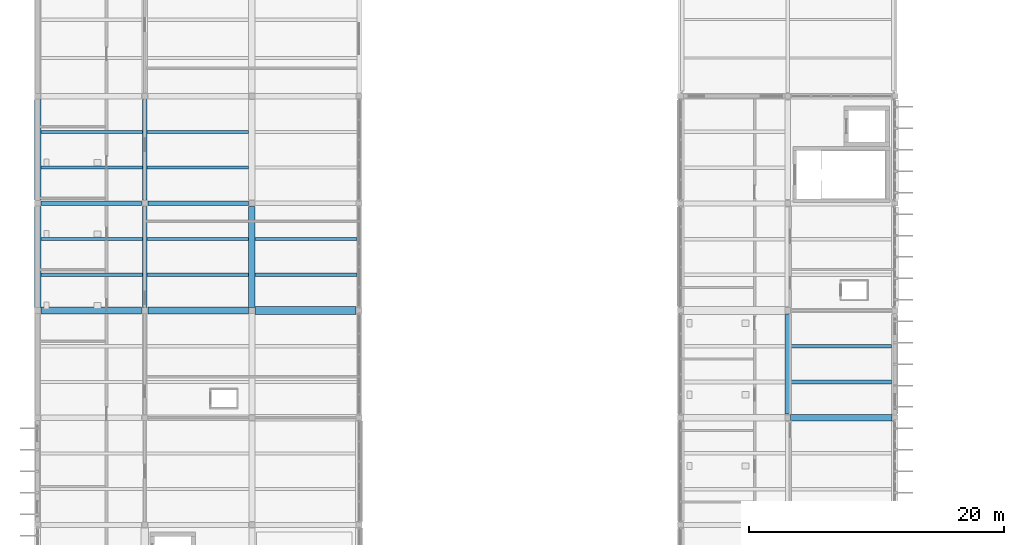
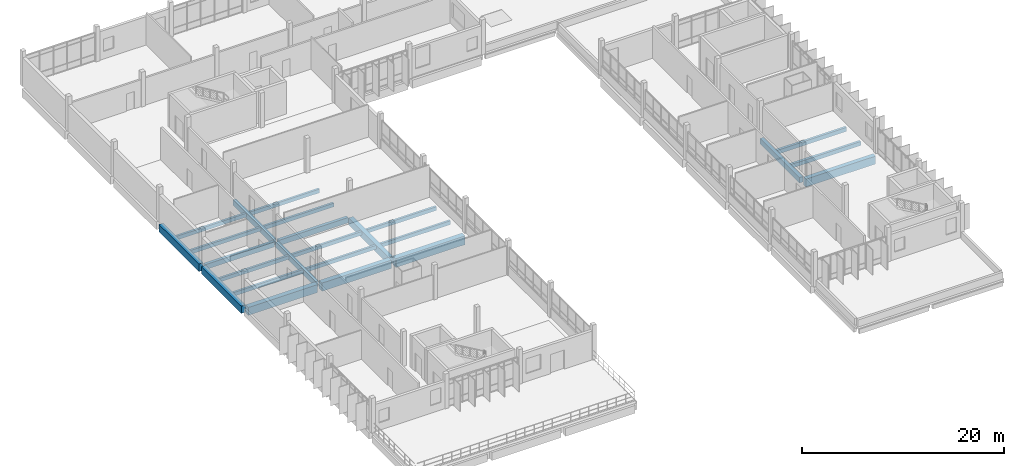
# One storey, part 16 of 62: 24 beams.
"""IFC4 building model written with IfcOpenShell, lengths in metres."""

from ifc_helpers import new_model, si_unit, direction, frame, origin, origin_2d, place, context, subcontext, project, spatial, rectangle, extrude, material, material_profile, profile_set, type_object, element, save


model = new_model("IFC4")

# Units and contexts
model_context = context("Model", 3, precision=1e-05, world=origin(), true_north=direction((0.0, 1.0)))
body_context = subcontext(model_context, "Body", "Model", "MODEL_VIEW")
ifc_project = project(units=[si_unit("LENGTHUNIT", "METRE"), si_unit("AREAUNIT", "SQUARE_METRE"), si_unit("VOLUMEUNIT", "CUBIC_METRE"), si_unit("PLANEANGLEUNIT", "RADIAN"), si_unit("MASSUNIT", "GRAM", prefix="KILO")], contexts=[model_context])

# Site, building, storey
site_placement = place(None, origin())
site = spatial("IfcSite", under=ifc_project, at=site_placement, CompositionType="ELEMENT")
building_placement = place(site_placement, origin())
building = spatial("IfcBuilding", under=site, at=building_placement, Name="Vireocrest Preparatory School", CompositionType="ELEMENT")
storey_placement = place(building_placement, frame((0.0, 0.0, 17.39990234375)))
storey = spatial("IfcBuildingStorey", under=building, at=storey_placement, Name="L04", CompositionType="ELEMENT", Elevation=17.39990234375)

# Beams
ifc_material = material(Name="Concrete 40 MPa", Category="concrete")
ifc_material_profile_1 = material_profile(ifc_material, rectangle(XDim=0.5, YDim=0.949951171875, at=origin_2d()), Name="RC 500x950")
ifc_profile_set_1 = profile_set([ifc_material_profile_1], Name="Concrete 40 MPa")
beam_type_1 = type_object("IfcBeamType", Name="RC Basement Ceiling Girder 500x950", PredefinedType="BEAM", material=ifc_profile_set_1)
beam_1_placement = place(storey_placement, frame((101.02490234375, 60.60009765625, -0.73486328125), z_axis=(1.0, 0.0, 0.0), x_axis=(0.0, 1.0, 0.0)))
element("IfcBeam", 1, at=beam_1_placement, inside=storey, type_object=beam_type_1, Name="Primary Girder B16 L04-1310", PredefinedType="BEAM", context=body_context, shape_type="SweptSolid", body=[
    extrude(rectangle(XDim=0.5, YDim=0.949951171875, at=origin_2d()), origin(), (0.0, 0.0, 1.0), 7.9501953125),
])
ifc_material_profile_2 = material_profile(ifc_material, rectangle(XDim=0.35009765625, YDim=0.60009765625, at=origin_2d()), Name="RC 350x600")
ifc_profile_set_2 = profile_set([ifc_material_profile_2], Name="Concrete 40 MPa")
beam_type_2 = type_object("IfcBeamType", Name="RC Classroom Girder 350x600", PredefinedType="BEAM", material=ifc_profile_set_2)
beam_2_placement = place(storey_placement, frame((42.25, 77.39990234375, -0.539794921875), z_axis=(1.0, 0.0, 0.0), x_axis=(0.0, 1.0, 0.0)))
element("IfcBeam", 2, at=beam_2_placement, inside=storey, type_object=beam_type_2, Name="Primary Girder B04 L04-1316", PredefinedType="BEAM", context=body_context, shape_type="SweptSolid", body=[
    extrude(rectangle(XDim=0.35009765625, YDim=0.60009765625, at=origin_2d()), origin(), (0.0, 0.0, 1.0), 7.89990234375),
])
ifc_material_profile_3 = material_profile(ifc_material, rectangle(XDim=0.35009765625, YDim=0.64990234375, at=origin_2d()), Name="RC 350x650")
ifc_profile_set_3 = profile_set([ifc_material_profile_3], Name="Concrete 40 MPa")
beam_type_3 = type_object("IfcBeamType", Name="RC Classroom Girder 350x650", PredefinedType="BEAM", material=ifc_profile_set_3)
beam_3_placement = place(storey_placement, frame((50.64990234375, 77.39990234375, -0.56494140625), z_axis=(1.0, 0.0, 0.0), x_axis=(0.0, 1.0, 0.0)))
element("IfcBeam", 3, at=beam_3_placement, inside=storey, type_object=beam_type_3, Name="Primary Girder B05 L04-1317", PredefinedType="BEAM", context=body_context, shape_type="SweptSolid", body=[
    extrude(rectangle(XDim=0.35009765625, YDim=0.64990234375, at=origin_2d()), origin(), (0.0, 0.0, 1.0), 7.900146484375),
])
beam_4_placement = place(storey_placement, frame((50.39990234375, 69.25, -0.56494140625), z_axis=(0.0, 1.0, 0.0), x_axis=(-1.0, 0.0, 0.0)))
element("IfcBeam", 4, at=beam_4_placement, inside=storey, type_object=beam_type_3, Name="Primary Girder B05 L04-1366", PredefinedType="BEAM", context=body_context, shape_type="SweptSolid", body=[
    extrude(rectangle(XDim=0.35009765625, YDim=0.64990234375, at=origin_2d()), origin(), (0.0, 0.0, 1.0), 7.89990234375),
])
ifc_material_profile_4 = material_profile(ifc_material, rectangle(XDim=0.550048828125, YDim=1.0, at=origin_2d()), Name="RC 550x1000")
ifc_profile_set_4 = profile_set([ifc_material_profile_4], Name="Concrete 40 MPa")
beam_type_4 = type_object("IfcBeamType", Name="RC Core Coupling Beam 550x1000", PredefinedType="BEAM", material=ifc_profile_set_4)
beam_5_placement = place(storey_placement, frame((50.64990234375, 69.0, -0.739990234375), z_axis=(1.0, 0.0, 0.0), x_axis=(0.0, 1.0, 0.0)))
element("IfcBeam", 5, at=beam_5_placement, inside=storey, type_object=beam_type_4, Name="Primary Girder B18 L04-1312", PredefinedType="BEAM", context=body_context, shape_type="SweptSolid", body=[
    extrude(rectangle(XDim=0.550048828125, YDim=1.0, at=origin_2d()), origin(), (0.0, 0.0, 1.0), 7.900146484375),
])
ifc_material_profile_5 = material_profile(ifc_material, rectangle(XDim=0.35009765625, YDim=0.699951171875, at=origin_2d()), Name="RC 350x700")
ifc_profile_set_5 = profile_set([ifc_material_profile_5], Name="Concrete 40 MPa")
beam_type_5 = type_object("IfcBeamType", Name="RC Laboratory Girder 350x700", PredefinedType="BEAM", material=ifc_profile_set_5)
beam_6_placement = place(storey_placement, frame((50.39990234375, 77.64990234375, -0.58984375), z_axis=(0.0, 1.0, 0.0), x_axis=(-1.0, 0.0, 0.0)))
element("IfcBeam", 6, at=beam_6_placement, inside=storey, type_object=beam_type_5, Name="Primary Girder B06 L04-1367", PredefinedType="BEAM", context=body_context, shape_type="SweptSolid", body=[
    extrude(rectangle(XDim=0.35009765625, YDim=0.699951171875, at=origin_2d()), origin(), (0.0, 0.0, 1.0), 7.900146484375),
])
ifc_material_profile_6 = material_profile(ifc_material, rectangle(XDim=0.39990234375, YDim=0.64990234375, at=origin_2d()), Name="RC 400x650")
ifc_profile_set_6 = profile_set([ifc_material_profile_6], Name="Concrete 40 MPa")
beam_type_6 = type_object("IfcBeamType", Name="RC Laboratory Girder 400x650", PredefinedType="BEAM", material=ifc_profile_set_6)
beam_7_placement = place(storey_placement, frame((100.800048828125, 60.89990234375, -0.5849609375), z_axis=(0.0, 1.0, 0.0), x_axis=(-1.0, 0.0, 0.0)))
element("IfcBeam", 7, at=beam_7_placement, inside=storey, type_object=beam_type_6, Name="Primary Girder B07 L04-1404", PredefinedType="BEAM", context=body_context, shape_type="SweptSolid", body=[
    extrude(rectangle(XDim=0.39990234375, YDim=0.64990234375, at=origin_2d()), origin(), (0.0, 0.0, 1.0), 7.800048828125),
])
ifc_material_profile_7 = material_profile(ifc_material, rectangle(XDim=0.5, YDim=0.85009765625, at=origin_2d()), Name="RC 500x850")
ifc_profile_set_7 = profile_set([ifc_material_profile_7], Name="Concrete 40 MPa")
beam_type_7 = type_object("IfcBeamType", Name="RC Podium Girder 500x850", PredefinedType="BEAM", material=ifc_profile_set_7)
for number, where, z_axis, x_axis, name in (
    (8, (42.0, 69.25, -0.664794921875), (0.0, 1.0, 0.0), (-1.0, 0.0, 0.0), "Primary Girder B14 L04-1357"),
    (9, (58.800048828125, 69.25, -0.664794921875), (0.0, 1.0, 0.0), (-1.0, 0.0, 0.0), "Primary Girder B14 L04-1375"),
):
    element("IfcBeam", number, at=place(storey_placement, frame(where, z_axis=z_axis, x_axis=x_axis)), inside=storey, type_object=beam_type_7, Name=name, PredefinedType="BEAM", context=body_context, shape_type="SweptSolid", body=[
        extrude(rectangle(XDim=0.5, YDim=0.85009765625, at=origin_2d()), origin(), (0.0, 0.0, 1.0), 7.89990234375),
    ])
ifc_material_profile_8 = material_profile(ifc_material, rectangle(XDim=0.5, YDim=0.89990234375, at=origin_2d()), Name="RC 500x900")
ifc_profile_set_8 = profile_set([ifc_material_profile_8], Name="Concrete 40 MPa")
beam_type_8 = type_object("IfcBeamType", Name="RC Podium Girder 500x900", PredefinedType="BEAM", material=ifc_profile_set_8)
beam_8_placement = place(storey_placement, frame((42.0, 77.64990234375, -0.68994140625), z_axis=(0.0, 1.0, 0.0), x_axis=(-1.0, 0.0, 0.0)))
element("IfcBeam", 10, at=beam_8_placement, inside=storey, type_object=beam_type_8, Name="Primary Girder B15 L04-1358", PredefinedType="BEAM", context=body_context, shape_type="SweptSolid", body=[
    extrude(rectangle(XDim=0.5, YDim=0.89990234375, at=origin_2d()), origin(), (0.0, 0.0, 1.0), 7.900146484375),
])
ifc_material_profile_9 = material_profile(ifc_material, rectangle(XDim=0.25, YDim=0.449951171875, at=origin_2d()), Name="RC 250x450")
ifc_profile_set_9 = profile_set([ifc_material_profile_9], Name="Concrete 40 MPa")
beam_type_9 = type_object("IfcBeamType", Name="RC Secondary Floor Joist 250x450", PredefinedType="JOIST", material=ifc_profile_set_9)
for number, where, z_axis, x_axis, name in (
    (11, (42.25, 71.800048828125, -0.46484375), (1.0, 0.0, 0.0), (0.0, 1.0, 0.0), "Secondary Joist J01 L04-1429"),
    (12, (42.25, 74.60009765625, -0.46484375), (1.0, 0.0, 0.0), (0.0, 1.0, 0.0), "Secondary Joist J01 L04-1430"),
    (13, (42.25, 80.199951171875, -0.46484375), (1.0, 0.0, 0.0), (0.0, 1.0, 0.0), "Secondary Joist J01 L04-1431"),
    (14, (42.25, 83.0, -0.46484375), (1.0, 0.0, 0.0), (0.0, 1.0, 0.0), "Secondary Joist J01 L04-1432"),
    (15, (50.574951171875, 71.800048828125, -0.46484375), (1.0, 0.0, 0.0), (0.0, 1.0, 0.0), "Secondary Joist J01 L04-1445"),
    (16, (50.574951171875, 74.60009765625, -0.46484375), (1.0, 0.0, 0.0), (0.0, 1.0, 0.0), "Secondary Joist J01 L04-1446"),
    (17, (50.574951171875, 80.199951171875, -0.46484375), (1.0, 0.0, 0.0), (0.0, 1.0, 0.0), "Secondary Joist J01 L04-1447"),
    (18, (50.574951171875, 83.0, -0.46484375), (1.0, 0.0, 0.0), (0.0, 1.0, 0.0), "Secondary Joist J01 L04-1448"),
):
    element("IfcBeam", number, at=place(storey_placement, frame(where, z_axis=z_axis, x_axis=x_axis)), inside=storey, type_object=beam_type_9, Name=name, PredefinedType="JOIST", context=body_context, shape_type="SweptSolid", body=[
        extrude(rectangle(XDim=0.25, YDim=0.449951171875, at=origin_2d()), origin(), (0.0, 0.0, 1.0), 7.97509765625),
    ])
for number, where, z_axis, x_axis, name in (
    (19, (59.050048828125, 71.800048828125, -0.46484375), (1.0, 0.0, 0.0), (0.0, 1.0, 0.0), "Secondary Joist J01 L04-1461"),
    (20, (59.050048828125, 74.60009765625, -0.46484375), (1.0, 0.0, 0.0), (0.0, 1.0, 0.0), "Secondary Joist J01 L04-1462"),
):
    element("IfcBeam", number, at=place(storey_placement, frame(where, z_axis=z_axis, x_axis=x_axis)), inside=storey, type_object=beam_type_9, Name=name, PredefinedType="JOIST", context=body_context, shape_type="SweptSolid", body=[
        extrude(rectangle(XDim=0.25, YDim=0.449951171875, at=origin_2d()), origin(), (0.0, 0.0, 1.0), 7.974853515625),
    ])
ifc_material_profile_10 = material_profile(ifc_material, rectangle(XDim=0.280029296875, YDim=0.47998046875, at=origin_2d()), Name="RC 280x480")
ifc_profile_set_10 = profile_set([ifc_material_profile_10], Name="Concrete 40 MPa")
beam_type_10 = type_object("IfcBeamType", Name="RC Secondary Lab Joist 280x480", PredefinedType="JOIST", material=ifc_profile_set_10)
for number, where, z_axis, x_axis, name in (
    (21, (101.0, 63.39990234375, -0.5), (1.0, 0.0, 0.0), (0.0, 1.0, 0.0), "Secondary Joist J02 L04-1503"),
    (22, (101.0, 66.199951171875, -0.5), (1.0, 0.0, 0.0), (0.0, 1.0, 0.0), "Secondary Joist J02 L04-1504"),
):
    element("IfcBeam", number, at=place(storey_placement, frame(where, z_axis=z_axis, x_axis=x_axis)), inside=storey, type_object=beam_type_10, Name=name, PredefinedType="JOIST", context=body_context, shape_type="SweptSolid", body=[
        extrude(rectangle(XDim=0.280029296875, YDim=0.47998046875, at=origin_2d()), origin(), (0.0, 0.0, 1.0), 7.949951171875),
    ])
ifc_material_profile_11 = material_profile(ifc_material, rectangle(XDim=0.550048828125, YDim=0.949951171875, at=origin_2d()), Name="RC 550x950")
ifc_profile_set_11 = profile_set([ifc_material_profile_11], Name="Concrete 40 MPa")
beam_type_11 = type_object("IfcBeamType", Name="RC Setback Edge Girder 550x950", PredefinedType="BEAM", material=ifc_profile_set_11)
beam_9_placement = place(storey_placement, frame((42.25, 69.0, -0.71484375), z_axis=(1.0, 0.0, 0.0), x_axis=(0.0, 1.0, 0.0)))
element("IfcBeam", 23, at=beam_9_placement, inside=storey, type_object=beam_type_11, Name="Primary Girder B17 L04-1311", PredefinedType="BEAM", context=body_context, shape_type="SweptSolid", body=[
    extrude(rectangle(XDim=0.550048828125, YDim=0.949951171875, at=origin_2d()), origin(), (0.0, 0.0, 1.0), 7.89990234375),
])
ifc_material_profile_12 = material_profile(ifc_material, rectangle(XDim=0.60009765625, YDim=1.050048828125, at=origin_2d()), Name="RC 600x1050")
ifc_profile_set_12 = profile_set([ifc_material_profile_12], Name="Concrete 40 MPa")
beam_type_12 = type_object("IfcBeamType", Name="RC Transfer Girder 600x1050", PredefinedType="BEAM", material=ifc_profile_set_12)
beam_10_placement = place(storey_placement, frame((59.050048828125, 69.0, -0.764892578125), z_axis=(1.0, 0.0, 0.0), x_axis=(0.0, 1.0, 0.0)))
element("IfcBeam", 24, at=beam_10_placement, inside=storey, type_object=beam_type_12, Name="Primary Girder B19 L04-1313", PredefinedType="BEAM", context=body_context, shape_type="SweptSolid", body=[
    extrude(rectangle(XDim=0.60009765625, YDim=1.050048828125, at=origin_2d()), origin(), (0.0, 0.0, 1.0), 7.89990234375),
])

save(model, "model.ifc")
